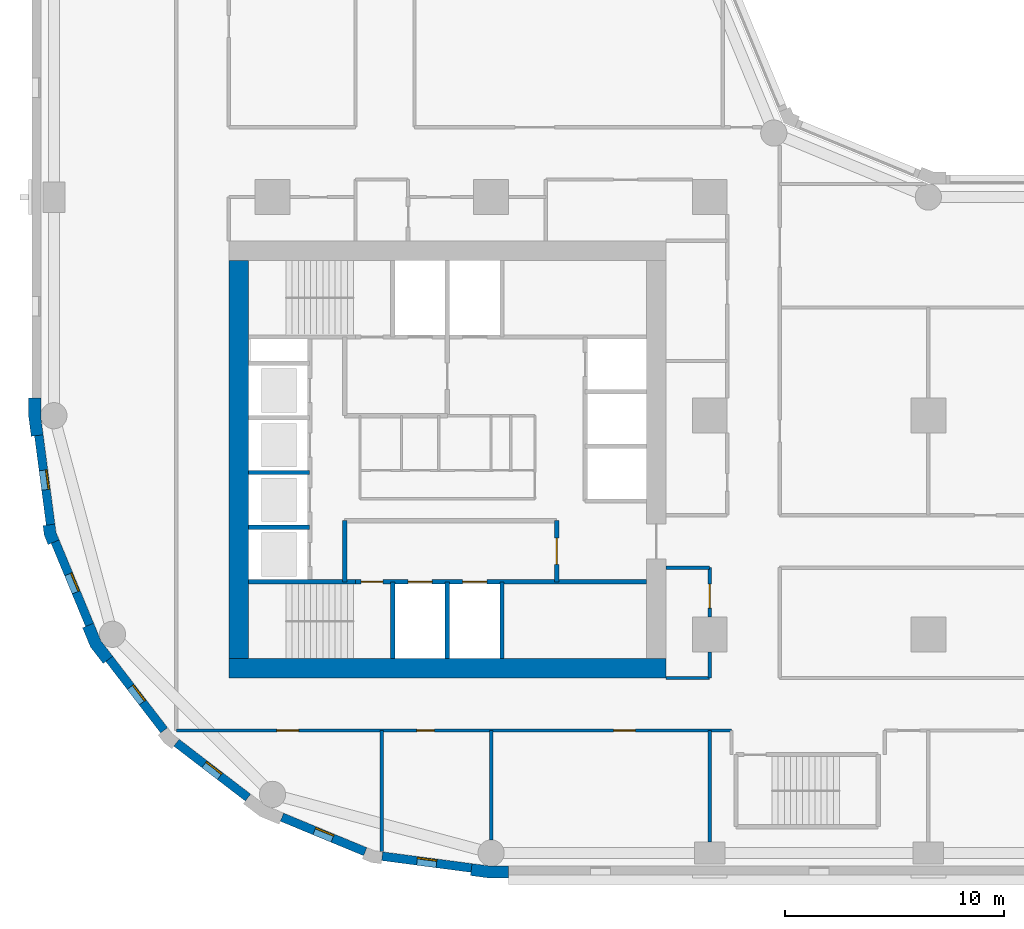
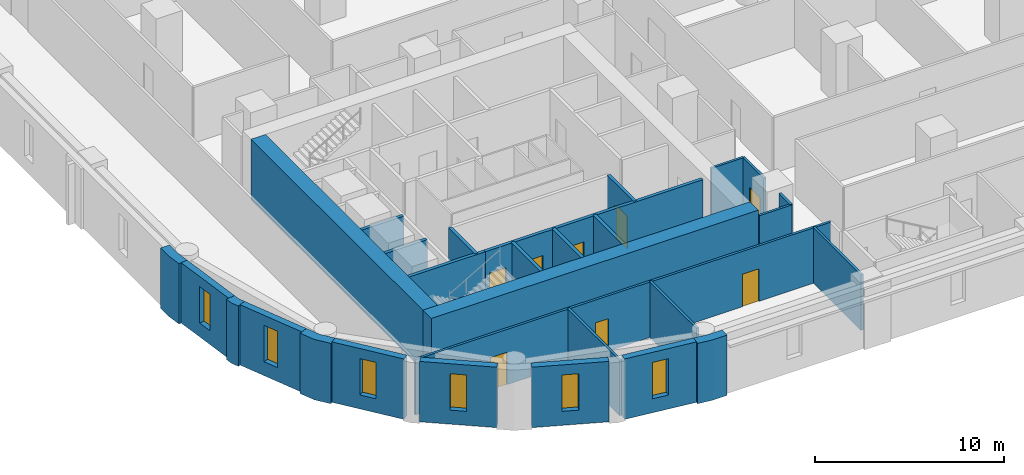
# One storey, part 2 of 11: 29 walls, 8 doors, 6 windows, 14 openings.
"""IFC4 building model written with IfcOpenShell, lengths in metres."""

from ifc_helpers import new_model, si_unit, direction, frame, frame_2d, origin, place, context, subcontext, project, spatial, polyline, rectangle, outline, extrude, material, layer, layer_set, type_object, element, fill, save


model = new_model("IFC4")

# Units and contexts
model_context = context("Model", 3, precision=1e-05, world=origin(), true_north=direction((0.0, 1.0)))
body_context = subcontext(model_context, "Body", "Model", "MODEL_VIEW")
ifc_project = project(units=[si_unit("LENGTHUNIT", "METRE"), si_unit("AREAUNIT", "SQUARE_METRE"), si_unit("VOLUMEUNIT", "CUBIC_METRE"), si_unit("PLANEANGLEUNIT", "RADIAN"), si_unit("MASSUNIT", "GRAM", prefix="KILO")], contexts=[model_context])

# Site, building, storey
site_placement = place(None, origin())
site = spatial("IfcSite", under=ifc_project, at=site_placement, CompositionType="ELEMENT")
building_placement = place(site_placement, origin())
building = spatial("IfcBuilding", under=site, at=building_placement, Name="Qaws Garden Tower", CompositionType="ELEMENT")
storey_placement = place(building_placement, frame((0.0, 0.0, 90.0)))
storey = spatial("IfcBuildingStorey", under=building, at=storey_placement, Name="L22", CompositionType="ELEMENT", Elevation=90.0)

# Wall, opening, window
ifc_material_1 = material(Name="Clay facing brick masonry", Category="masonry")
ifc_layer_1 = layer(ifc_material_1, 0.39990234375)
ifc_layer_set_1 = layer_set([ifc_layer_1], Name="Clay facing brick masonry")
wall_type_1 = type_object("IfcWallType", Name="Brick infill wall 400", PredefinedType="SOLIDWALL", material=ifc_layer_set_1)
wall_1_placement = place(storey_placement, frame((-0.688720703125, 19.102294921875, 0.0), z_axis=(0.0, 0.0, 1.0), x_axis=(0.130514280502, -0.991446429508, 0.0)))
wall_1 = element("IfcWall", 1, at=wall_1_placement, inside=storey, type_object=wall_type_1, Name="E-L22-infill-27", PredefinedType="SOLIDWALL", context=body_context, shape_type="SweptSolid", body=[
    extrude(rectangle(XDim=4.120849609375, YDim=0.39990234375, at=frame_2d((2.060546875, 0.0))), origin(), (0.0, 0.0, 1.0), 3.89990234375),
])
opening_1_placement = place(wall_1_placement, frame((1.610595703125, 0.0, 0.89990234375)))
opening_1 = element("IfcOpeningElement", 2, at=opening_1_placement, cuts=wall_1, Name="Opening W09", PredefinedType="OPENING", context=body_context, shape_type="SweptSolid", body=[
    extrude(rectangle(XDim=0.89990234375, YDim=2.35009765625, at=frame_2d((0.449951171875, 1.175048828125))), frame((0.0, 0.2099609375, 0.0), z_axis=(0.0, -1.0, 0.0), x_axis=(1.0, 0.0, 0.0)), (0.0, 0.0, 1.0), 0.419921875),
])
ifc_material_2 = material(Name="Aluminium framed window, clear glazing", Category="aluminium")
window_type = type_object("IfcWindowType", Name="Slit window 900 x 2350", PartitioningType="SINGLE_PANEL", PredefinedType="WINDOW", material=ifc_material_2)
window_1_placement = place(opening_1_placement, origin())
window_1 = element("IfcWindow", 3, at=window_1_placement, inside=storey, type_object=window_type, Name="E-L22-window-27-0", OverallHeight=2.35009765625, OverallWidth=0.89990234375, PartitioningType="SINGLE_PANEL", PredefinedType="WINDOW", context=body_context, shape_type="SweptSolid", body=[
    extrude(rectangle(XDim=0.89990234375, YDim=2.35009765625, at=frame_2d((0.449951171875, 1.175048828125))), frame((0.0, 0.159912109375, 0.0), z_axis=(0.0, -1.0, 0.0), x_axis=(1.0, 0.0, 0.0)), (0.0, 0.0, 1.0), 0.06005859375),
])
fill(opening_1, window_1)

wall_2_placement = place(storey_placement, frame((0.05712890625, 14.240234375, 0.0), z_axis=(0.0, 0.0, 1.0), x_axis=(0.382721546029, -0.923863744394, 0.0)))
wall_2 = element("IfcWall", 4, at=wall_2_placement, inside=storey, type_object=wall_type_1, Name="E-L22-infill-28", PredefinedType="SOLIDWALL", context=body_context, shape_type="SweptSolid", body=[
    extrude(rectangle(XDim=4.120849609375, YDim=0.39990234375, at=frame_2d((2.060546875, 0.0))), origin(), (0.0, 0.0, 1.0), 3.89990234375),
])
opening_2_placement = place(wall_2_placement, frame((1.610595703125, 0.0, 0.89990234375)))
opening_2 = element("IfcOpeningElement", 5, at=opening_2_placement, cuts=wall_2, Name="Opening W09", PredefinedType="OPENING", context=body_context, shape_type="SweptSolid", body=[
    extrude(rectangle(XDim=0.89990234375, YDim=2.35009765625, at=frame_2d((0.449951171875, 1.175048828125))), frame((0.0, 0.2099609375, 0.0), z_axis=(0.0, -1.0, 0.0), x_axis=(1.0, 0.0, 0.0)), (0.0, 0.0, 1.0), 0.419921875),
])
window_2_placement = place(opening_2_placement, origin())
window_2 = element("IfcWindow", 6, at=window_2_placement, inside=storey, type_object=window_type, Name="E-L22-window-28-0", OverallHeight=2.35009765625, OverallWidth=0.89990234375, PartitioningType="SINGLE_PANEL", PredefinedType="WINDOW", context=body_context, shape_type="SweptSolid", body=[
    extrude(rectangle(XDim=0.89990234375, YDim=2.35009765625, at=frame_2d((0.449951171875, 1.175048828125))), frame((0.0, 0.159912109375, 0.0), z_axis=(0.0, -1.0, 0.0), x_axis=(1.0, 0.0, 0.0)), (0.0, 0.0, 1.0), 0.06005859375),
])
fill(opening_2, window_2)

wall_3_placement = place(storey_placement, frame((2.53173828125, 8.87841796875, 0.0), z_axis=(0.0, 0.0, 1.0), x_axis=(0.608759824817, -0.793354571229, 0.0)))
wall_3 = element("IfcWall", 7, at=wall_3_placement, inside=storey, type_object=wall_type_1, Name="E-L22-infill-29", PredefinedType="SOLIDWALL", context=body_context, shape_type="SweptSolid", body=[
    extrude(rectangle(XDim=4.12109375, YDim=0.39990234375, at=frame_2d((2.060546875, 0.0))), origin(), (0.0, 0.0, 1.0), 3.89990234375),
])
opening_3_placement = place(wall_3_placement, frame((1.610595703125, 0.0, 0.89990234375)))
opening_3 = element("IfcOpeningElement", 8, at=opening_3_placement, cuts=wall_3, Name="Opening W09", PredefinedType="OPENING", context=body_context, shape_type="SweptSolid", body=[
    extrude(rectangle(XDim=0.89990234375, YDim=2.35009765625, at=frame_2d((0.449951171875, 1.175048828125))), frame((0.0, 0.2099609375, 0.0), z_axis=(0.0, -1.0, 0.0), x_axis=(1.0, 0.0, 0.0)), (0.0, 0.0, 1.0), 0.419921875),
])
window_3_placement = place(opening_3_placement, origin())
window_3 = element("IfcWindow", 9, at=window_3_placement, inside=storey, type_object=window_type, Name="E-L22-window-29-0", OverallHeight=2.35009765625, OverallWidth=0.89990234375, PartitioningType="SINGLE_PANEL", PredefinedType="WINDOW", context=body_context, shape_type="SweptSolid", body=[
    extrude(rectangle(XDim=0.89990234375, YDim=2.35009765625, at=frame_2d((0.449951171875, 1.175048828125))), frame((0.0, 0.159912109375, 0.0), z_axis=(0.0, -1.0, 0.0), x_axis=(1.0, 0.0, 0.0)), (0.0, 0.0, 1.0), 0.06005859375),
])
fill(opening_3, window_3)

wall_4_placement = place(storey_placement, frame((5.60888671875, 5.04052734375, 0.0), z_axis=(0.0, 0.0, 1.0), x_axis=(0.793354571229, -0.608759824817, 0.0)))
wall_4 = element("IfcWall", 10, at=wall_4_placement, inside=storey, type_object=wall_type_1, Name="E-L22-infill-30", PredefinedType="SOLIDWALL", context=body_context, shape_type="SweptSolid", body=[
    extrude(rectangle(XDim=4.12109375, YDim=0.39990234375, at=frame_2d((2.060546875, 0.0))), origin(), (0.0, 0.0, 1.0), 3.89990234375),
])
opening_4_placement = place(wall_4_placement, frame((1.610595703125, 0.0, 0.89990234375)))
opening_4 = element("IfcOpeningElement", 11, at=opening_4_placement, cuts=wall_4, Name="Opening W09", PredefinedType="OPENING", context=body_context, shape_type="SweptSolid", body=[
    extrude(rectangle(XDim=0.89990234375, YDim=2.35009765625, at=frame_2d((0.449951171875, 1.175048828125))), frame((0.0, 0.2099609375, 0.0), z_axis=(0.0, -1.0, 0.0), x_axis=(1.0, 0.0, 0.0)), (0.0, 0.0, 1.0), 0.419921875),
])
window_4_placement = place(opening_4_placement, origin())
window_4 = element("IfcWindow", 12, at=window_4_placement, inside=storey, type_object=window_type, Name="E-L22-window-30-0", OverallHeight=2.35009765625, OverallWidth=0.89990234375, PartitioningType="SINGLE_PANEL", PredefinedType="WINDOW", context=body_context, shape_type="SweptSolid", body=[
    extrude(rectangle(XDim=0.89990234375, YDim=2.35009765625, at=frame_2d((0.449951171875, 1.175048828125))), frame((0.0, 0.159912109375, 0.0), z_axis=(0.0, -1.0, 0.0), x_axis=(1.0, 0.0, 0.0)), (0.0, 0.0, 1.0), 0.06005859375),
])
fill(opening_4, window_4)

wall_5_placement = place(storey_placement, frame((10.43310546875, 1.63427734375, 0.0), z_axis=(0.0, 0.0, 1.0), x_axis=(0.923863744394, -0.382721546029, 0.0)))
wall_5 = element("IfcWall", 13, at=wall_5_placement, inside=storey, type_object=wall_type_1, Name="E-L22-infill-31", PredefinedType="SOLIDWALL", context=body_context, shape_type="SweptSolid", body=[
    extrude(rectangle(XDim=4.120849609375, YDim=0.39990234375, at=frame_2d((2.060546875, 0.0))), origin(), (0.0, 0.0, 1.0), 3.89990234375),
])
opening_5_placement = place(wall_5_placement, frame((1.610595703125, 0.0, 0.89990234375)))
opening_5 = element("IfcOpeningElement", 14, at=opening_5_placement, cuts=wall_5, Name="Opening W09", PredefinedType="OPENING", context=body_context, shape_type="SweptSolid", body=[
    extrude(rectangle(XDim=0.89990234375, YDim=2.35009765625, at=frame_2d((0.449951171875, 1.175048828125))), frame((0.0, 0.2099609375, 0.0), z_axis=(0.0, -1.0, 0.0), x_axis=(1.0, 0.0, 0.0)), (0.0, 0.0, 1.0), 0.419921875),
])
window_5_placement = place(opening_5_placement, origin())
window_5 = element("IfcWindow", 15, at=window_5_placement, inside=storey, type_object=window_type, Name="E-L22-window-31-0", OverallHeight=2.35009765625, OverallWidth=0.89990234375, PartitioningType="SINGLE_PANEL", PredefinedType="WINDOW", context=body_context, shape_type="SweptSolid", body=[
    extrude(rectangle(XDim=0.89990234375, YDim=2.35009765625, at=frame_2d((0.449951171875, 1.175048828125))), frame((0.0, 0.159912109375, 0.0), z_axis=(0.0, -1.0, 0.0), x_axis=(1.0, 0.0, 0.0)), (0.0, 0.0, 1.0), 0.06005859375),
])
fill(opening_5, window_5)

wall_6_placement = place(storey_placement, frame((15.0166015625, -0.15087890625, 0.0), z_axis=(0.0, 0.0, 1.0), x_axis=(0.991446429508, -0.130514280502, 0.0)))
wall_6 = element("IfcWall", 16, at=wall_6_placement, inside=storey, type_object=wall_type_1, Name="E-L22-infill-32", PredefinedType="SOLIDWALL", context=body_context, shape_type="SweptSolid", body=[
    extrude(rectangle(XDim=4.120849609375, YDim=0.39990234375, at=frame_2d((2.060546875, 0.0))), origin(), (0.0, 0.0, 1.0), 3.89990234375),
])
opening_6_placement = place(wall_6_placement, frame((1.610595703125, 0.0, 0.89990234375)))
opening_6 = element("IfcOpeningElement", 17, at=opening_6_placement, cuts=wall_6, Name="Opening W09", PredefinedType="OPENING", context=body_context, shape_type="SweptSolid", body=[
    extrude(rectangle(XDim=0.89990234375, YDim=2.35009765625, at=frame_2d((0.449951171875, 1.175048828125))), frame((0.0, 0.2099609375, 0.0), z_axis=(0.0, -1.0, 0.0), x_axis=(1.0, 0.0, 0.0)), (0.0, 0.0, 1.0), 0.419921875),
])
window_6_placement = place(opening_6_placement, origin())
window_6 = element("IfcWindow", 18, at=window_6_placement, inside=storey, type_object=window_type, Name="E-L22-window-32-0", OverallHeight=2.35009765625, OverallWidth=0.89990234375, PartitioningType="SINGLE_PANEL", PredefinedType="WINDOW", context=body_context, shape_type="SweptSolid", body=[
    extrude(rectangle(XDim=0.89990234375, YDim=2.35009765625, at=frame_2d((0.449951171875, 1.175048828125))), frame((0.0, 0.159912109375, 0.0), z_axis=(0.0, -1.0, 0.0), x_axis=(1.0, 0.0, 0.0)), (0.0, 0.0, 1.0), 0.06005859375),
])
fill(opening_6, window_6)

# Walls
ifc_material_3 = material(Name="Clay facing brick masonry", Category="masonry")
ifc_layer_2 = layer(ifc_material_3, 0.550048828125)
ifc_layer_set_2 = layer_set([ifc_layer_2], Name="Clay facing brick masonry")
wall_type_2 = type_object("IfcWallType", Name="Brick kink pier 550 x 600", PredefinedType="SOLIDWALL", material=ifc_layer_set_2)
placement = place(storey_placement, origin())
element("IfcWall", 19, at=placement, inside=storey, type_object=wall_type_2, Name="E-L22-pier-28", PredefinedType="SOLIDWALL", context=body_context, shape_type="SweptSolid", body=[
    extrude(outline(polyline([(-0.34912109375, 14.990478515625), (-0.497802734375, 14.970947265625), (-0.43896484375, 14.5234375), (-0.26611328125, 14.1064453125), (-0.127685546875, 14.163818359375), (0.241943359375, 14.31689453125), (0.096923828125, 14.6669921875), (0.04736328125, 15.042724609375), (-0.34912109375, 14.990478515625)])), origin(), (0.0, 0.0, 1.0), 3.89990234375),
])
ifc_material_4 = material(Name="Clay facing brick masonry", Category="masonry")
ifc_layer_3 = layer(ifc_material_4, 0.550048828125)
ifc_layer_set_3 = layer_set([ifc_layer_3], Name="Clay facing brick masonry")
wall_type_3 = type_object("IfcWallType", Name="Brick pier 550 x 1600", PredefinedType="SOLIDWALL", material=ifc_layer_set_3)
element("IfcWall", 20, at=placement, inside=storey, type_object=wall_type_3, Name="E-L22-pier-00", PredefinedType="SOLIDWALL", context=body_context, shape_type="SweptSolid", body=[
    extrude(outline(polyline([(19.076416015625, -0.886962890625), (19.056640625, -1.03564453125), (19.924560546875, -1.14990234375), (20.800048828125, -1.14990234375), (20.800048828125, -1.0), (20.800048828125, -0.60009765625), (19.960693359375, -0.60009765625), (19.12841796875, -0.490478515625), (19.076416015625, -0.886962890625)])), origin(), (0.0, 0.0, 1.0), 3.89990234375),
])
element("IfcWall", 21, at=placement, inside=storey, type_object=wall_type_3, Name="E-L22-pier-27", PredefinedType="SOLIDWALL", context=body_context, shape_type="SweptSolid", body=[
    extrude(outline(polyline([(-1.0, 20.800048828125), (-1.14990234375, 20.800048828125), (-1.14990234375, 19.924560546875), (-1.03564453125, 19.056640625), (-0.886962890625, 19.076416015625), (-0.490478515625, 19.12841796875), (-0.60009765625, 19.960693359375), (-0.60009765625, 20.800048828125), (-1.0, 20.800048828125)])), origin(), (0.0, 0.0, 1.0), 3.89990234375),
])
element("IfcWall", 22, at=placement, inside=storey, type_object=wall_type_3, Name="E-L22-pier-29", PredefinedType="SOLIDWALL", context=body_context, shape_type="SweptSolid", body=[
    extrude(outline(polyline([(1.449462890625, 10.3564453125), (1.310791015625, 10.299072265625), (1.675048828125, 9.419921875), (2.254150390625, 8.665283203125), (2.373046875, 8.756591796875), (2.6904296875, 9.0), (2.1552734375, 9.697509765625), (1.819091796875, 10.509521484375), (1.449462890625, 10.3564453125)])), origin(), (0.0, 0.0, 1.0), 3.89990234375),
])
ifc_material_5 = material(Name="Concrete C80", Category="concrete")
ifc_layer_4 = layer(ifc_material_5, 0.199951171875)
ifc_layer_set_4 = layer_set([ifc_layer_4], Name="Concrete C80")
wall_type_4 = type_object("IfcWallType", Name="Core shaft wall 200 C80", PredefinedType="SHEAR", material=ifc_layer_set_4)
wall_11_placement = place(storey_placement, frame((8.89990234375, 12.39990234375, 0.0), z_axis=(0.0, 0.0, 1.0), x_axis=(1.0, 0.0, 0.0)))
element("IfcWall", 23, at=wall_11_placement, inside=storey, type_object=wall_type_4, Name="Shaft wall", PredefinedType="SHEAR", context=body_context, shape_type="SweptSolid", body=[
    extrude(rectangle(XDim=4.900146484375, YDim=0.199951171875, at=frame_2d((2.4501953125, 0.0))), origin(), (0.0, 0.0, 1.0), 3.580078125),
])

# Wall, openings, doors
wall_12_placement = place(storey_placement, frame((13.800048828125, 12.39990234375, 0.0), z_axis=(0.0, 0.0, 1.0), x_axis=(1.0, 0.0, 0.0)))
wall_12 = element("IfcWall", 24, at=wall_12_placement, inside=storey, type_object=wall_type_4, Name="Shaft wall", PredefinedType="SHEAR", context=body_context, shape_type="SweptSolid", body=[
    extrude(rectangle(XDim=13.300048828125, YDim=0.199951171875, at=frame_2d((6.64990234375, 0.0))), origin(), (0.0, 0.0, 1.0), 3.580078125),
])
opening_7_placement = place(wall_12_placement, frame((2.39990234375, 0.0, 0.0)))
opening_7 = element("IfcOpeningElement", 25, at=opening_7_placement, cuts=wall_12, Name="Opening LD06", PredefinedType="OPENING", context=body_context, shape_type="SweptSolid", body=[
    extrude(rectangle(XDim=1.10009765625, YDim=2.10009765625, at=frame_2d((0.550048828125, 1.050048828125))), frame((0.0, 0.10986328125, 0.0), z_axis=(0.0, -1.0, 0.0), x_axis=(1.0, 0.0, 0.0)), (0.0, 0.0, 1.0), 0.219970703125),
])
opening_8_placement = place(wall_12_placement, frame((4.89990234375, 0.0, 0.0)))
opening_8 = element("IfcOpeningElement", 26, at=opening_8_placement, cuts=wall_12, Name="Opening LD07", PredefinedType="OPENING", context=body_context, shape_type="SweptSolid", body=[
    extrude(rectangle(XDim=1.10009765625, YDim=2.10009765625, at=frame_2d((0.550048828125, 1.050048828125))), frame((0.0, 0.10986328125, 0.0), z_axis=(0.0, -1.0, 0.0), x_axis=(1.0, 0.0, 0.0)), (0.0, 0.0, 1.0), 0.219970703125),
])
opening_9_placement = place(wall_12_placement, frame((0.25, 0.0, 0.0)))
opening_9 = element("IfcOpeningElement", 27, at=opening_9_placement, cuts=wall_12, Name="Opening SD10", PredefinedType="OPENING", context=body_context, shape_type="SweptSolid", body=[
    extrude(rectangle(XDim=1.0, YDim=2.10009765625, at=frame_2d((0.5, 1.050048828125))), frame((0.0, 0.10986328125, 0.0), z_axis=(0.0, -1.0, 0.0), x_axis=(1.0, 0.0, 0.0)), (0.0, 0.0, 1.0), 0.219970703125),
])
ifc_material_6 = material(Name="Steel S235", Category="steel")
door_type_1 = type_object("IfcDoorType", Name="Landing door 1100x2100", OperationType="DOUBLE_DOOR_SLIDING", PredefinedType="DOOR", material=ifc_material_6)
door_1_placement = place(opening_7_placement, origin())
door_1 = element("IfcDoor", 28, at=door_1_placement, inside=storey, type_object=door_type_1, Name="Lift FF1 landing door", OperationType="DOUBLE_DOOR_SLIDING", OverallHeight=2.10009765625, OverallWidth=1.10009765625, PredefinedType="DOOR", context=body_context, shape_type="SweptSolid", body=[
    extrude(rectangle(XDim=1.10009765625, YDim=2.10009765625, at=frame_2d((0.550048828125, 1.050048828125))), frame((0.0, 0.02490234375, 0.0), z_axis=(0.0, -1.0, 0.0), x_axis=(1.0, 0.0, 0.0)), (0.0, 0.0, 1.0), 0.050048828125),
])
fill(opening_7, door_1)
door_2_placement = place(opening_8_placement, origin())
door_2 = element("IfcDoor", 29, at=door_2_placement, inside=storey, type_object=door_type_1, Name="Lift FF2 landing door", OperationType="DOUBLE_DOOR_SLIDING", OverallHeight=2.10009765625, OverallWidth=1.10009765625, PredefinedType="DOOR", context=body_context, shape_type="SweptSolid", body=[
    extrude(rectangle(XDim=1.10009765625, YDim=2.10009765625, at=frame_2d((0.550048828125, 1.050048828125))), frame((0.0, 0.02490234375, 0.0), z_axis=(0.0, -1.0, 0.0), x_axis=(1.0, 0.0, 0.0)), (0.0, 0.0, 1.0), 0.050048828125),
])
fill(opening_8, door_2)
ifc_material_7 = material(Name="Steel S235", Category="steel")
door_type_2 = type_object("IfcDoorType", Name="Stair door 1000x2100", OperationType="SINGLE_SWING_RIGHT", PredefinedType="DOOR", material=ifc_material_7)
door_3_placement = place(opening_9_placement, frame((1.0, 0.0, 0.0), z_axis=(0.0, 0.0, 1.0), x_axis=(-1.0, 0.0, 0.0)))
door_3 = element("IfcDoor", 30, at=door_3_placement, inside=storey, type_object=door_type_2, Name="Stair 1 door", OperationType="SINGLE_SWING_LEFT", OverallHeight=2.10009765625, OverallWidth=1.0, PredefinedType="DOOR", context=body_context, shape_type="SweptSolid", body=[
    extrude(rectangle(XDim=1.0, YDim=2.10009765625, at=frame_2d((0.5, 1.050048828125))), frame((0.0, 0.02490234375, 0.0), z_axis=(0.0, -1.0, 0.0), x_axis=(1.0, 0.0, 0.0)), (0.0, 0.0, 1.0), 0.050048828125),
])
fill(opening_9, door_3)

# Walls
for number, where, z_axis, x_axis, name in (
    (31, (8.89990234375, 14.89990234375, 0.0), (0.0, 0.0, 1.0), (1.0, 0.0, 0.0), "Shaft wall"),
    (32, (8.89990234375, 17.39990234375, 0.0), (0.0, 0.0, 1.0), (1.0, 0.0, 0.0), "Shaft wall"),
    (33, (13.300048828125, 12.39990234375, 0.0), (0.0, 0.0, 1.0), (0.0, 1.0, 0.0), "Shaft wall"),
):
    element("IfcWall", number, at=place(storey_placement, frame(where, z_axis=z_axis, x_axis=x_axis)), inside=storey, type_object=wall_type_4, Name=name, PredefinedType="SHEAR", context=body_context, shape_type="SweptSolid", body=[
        extrude(rectangle(XDim=2.800048828125, YDim=0.199951171875, at=frame_2d((1.39990234375, 0.0))), origin(), (0.0, 0.0, 1.0), 3.580078125),
    ])
for number, where, z_axis, x_axis, name in (
    (34, (15.5, 8.89990234375, 0.0), (0.0, 0.0, 1.0), (0.0, 1.0, 0.0), "Shaft wall"),
    (35, (18.0, 8.89990234375, 0.0), (0.0, 0.0, 1.0), (0.0, 1.0, 0.0), "Shaft wall"),
    (36, (20.5, 8.89990234375, 0.0), (0.0, 0.0, 1.0), (0.0, 1.0, 0.0), "Shaft wall"),
):
    element("IfcWall", number, at=place(storey_placement, frame(where, z_axis=z_axis, x_axis=x_axis)), inside=storey, type_object=wall_type_4, Name=name, PredefinedType="SHEAR", context=body_context, shape_type="SweptSolid", body=[
        extrude(rectangle(XDim=3.5, YDim=0.199951171875, at=frame_2d((1.75, 0.0))), origin(), (0.0, 0.0, 1.0), 3.580078125),
    ])

# Wall, opening, door
wall_13_placement = place(storey_placement, frame((23.0, 12.39990234375, 0.0), z_axis=(0.0, 0.0, 1.0), x_axis=(0.0, 1.0, 0.0)))
wall_13 = element("IfcWall", 37, at=wall_13_placement, inside=storey, type_object=wall_type_4, Name="Shaft wall", PredefinedType="SHEAR", context=body_context, shape_type="SweptSolid", body=[
    extrude(rectangle(XDim=2.800048828125, YDim=0.199951171875, at=frame_2d((1.39990234375, 0.0))), origin(), (0.0, 0.0, 1.0), 3.580078125),
])
opening_10_placement = place(wall_13_placement, frame((0.800048828125, 0.0, 0.0)))
opening_10 = element("IfcOpeningElement", 38, at=opening_10_placement, cuts=wall_13, Name="Opening FD15", PredefinedType="OPENING", context=body_context, shape_type="SweptSolid", body=[
    extrude(rectangle(XDim=1.199951171875, YDim=2.10009765625, at=frame_2d((0.60009765625, 1.050048828125))), frame((0.0, 0.10986328125, 0.0), z_axis=(0.0, -1.0, 0.0), x_axis=(1.0, 0.0, 0.0)), (0.0, 0.0, 1.0), 0.219970703125),
])
ifc_material_8 = material(Name="Steel S235", Category="steel")
door_type_3 = type_object("IfcDoorType", Name="Lobby door 1200x2100", OperationType="DOUBLE_DOOR_SINGLE_SWING", PredefinedType="DOOR", material=ifc_material_8)
door_4_placement = place(opening_10_placement, origin())
door_4 = element("IfcDoor", 39, at=door_4_placement, inside=storey, type_object=door_type_3, Name="Fire-fighting lobby door", OperationType="DOUBLE_DOOR_SINGLE_SWING", OverallHeight=2.10009765625, OverallWidth=1.199951171875, PredefinedType="DOOR", context=body_context, shape_type="SweptSolid", body=[
    extrude(rectangle(XDim=1.199951171875, YDim=2.10009765625, at=frame_2d((0.60009765625, 1.050048828125))), frame((0.0, 0.02490234375, 0.0), z_axis=(0.0, -1.0, 0.0), x_axis=(1.0, 0.0, 0.0)), (0.0, 0.0, 1.0), 0.050048828125),
])
fill(opening_10, door_4)

# Walls
ifc_material_9 = material(Name="Concrete C80", Category="concrete")
ifc_layer_5 = layer(ifc_material_9, 0.89990234375)
ifc_layer_set_5 = layer_set([ifc_layer_5], Name="Concrete C80")
wall_type_5 = type_object("IfcWallType", Name="Core wall 900 C80", PredefinedType="SHEAR", material=ifc_layer_set_5)
wall_14_placement = place(storey_placement, frame((8.0, 8.449951171875, 0.0), z_axis=(0.0, 0.0, 1.0), x_axis=(1.0, 0.0, 0.0)))
element("IfcWall", 40, at=wall_14_placement, inside=storey, type_object=wall_type_5, Name="Core wall L22 south", PredefinedType="SHEAR", context=body_context, shape_type="SweptSolid", body=[
    extrude(rectangle(XDim=20.0, YDim=0.89990234375, at=frame_2d((10.0, 0.0))), origin(), (0.0, 0.0, 1.0), 3.89990234375),
])
wall_15_placement = place(storey_placement, frame((8.449951171875, 27.10009765625, 0.0), z_axis=(0.0, 0.0, 1.0), x_axis=(0.0, -1.0, 0.0)))
element("IfcWall", 41, at=wall_15_placement, inside=storey, type_object=wall_type_5, Name="Core wall L22 west", PredefinedType="SHEAR", context=body_context, shape_type="SweptSolid", body=[
    extrude(rectangle(XDim=18.2001953125, YDim=0.89990234375, at=frame_2d((9.10009765625, 0.0))), origin(), (0.0, 0.0, 1.0), 3.89990234375),
])
ifc_material_10 = material(Name="Gypsum board partition")
ifc_layer_6 = layer(ifc_material_10, 0.14990234375)
ifc_layer_set_6 = layer_set([ifc_layer_6], Name="Gypsum board partition")
wall_type_6 = type_object("IfcWallType", Name="PARTITION 150 EI 60", PredefinedType="PARTITIONING", material=ifc_layer_set_6)
wall_16_placement = place(storey_placement, frame((15.0, 0.06298828125, 0.0), z_axis=(0.0, 0.0, 1.0), x_axis=(0.0, 1.0, 0.0)))
element("IfcWall", 42, at=wall_16_placement, inside=storey, type_object=wall_type_6, Name="O-L22-wall-007", PredefinedType="PARTITIONING", context=body_context, shape_type="SweptSolid", body=[
    extrude(rectangle(XDim=5.537109375, YDim=0.14990234375, at=frame_2d((2.7685546875, 0.0))), origin(), (0.0, 0.0, 1.0), 3.580078125),
])
wall_17_placement = place(storey_placement, frame((20.0, 0.60009765625, 0.0), z_axis=(0.0, 0.0, 1.0), x_axis=(0.0, 1.0, 0.0)))
element("IfcWall", 43, at=wall_17_placement, inside=storey, type_object=wall_type_6, Name="O-L22-wall-011", PredefinedType="PARTITIONING", context=body_context, shape_type="SweptSolid", body=[
    extrude(rectangle(XDim=5.0, YDim=0.14990234375, at=frame_2d((2.5, 0.0))), origin(), (0.0, 0.0, 1.0), 3.580078125),
])
wall_18_placement = place(storey_placement, frame((30.0, 0.5, 0.0), z_axis=(0.0, 0.0, 1.0), x_axis=(0.0, 1.0, 0.0)))
element("IfcWall", 44, at=wall_18_placement, inside=storey, type_object=wall_type_6, Name="O-L22-wall-014", PredefinedType="PARTITIONING", context=body_context, shape_type="SweptSolid", body=[
    extrude(rectangle(XDim=5.10009765625, YDim=0.14990234375, at=frame_2d((2.550048828125, 0.0))), origin(), (0.0, 0.0, 1.0), 3.580078125),
])
wall_19_placement = place(storey_placement, frame((30.0, 8.0, 0.0), z_axis=(0.0, 0.0, 1.0), x_axis=(0.0, 1.0, 0.0)))
element("IfcWall", 45, at=wall_19_placement, inside=storey, type_object=wall_type_6, Name="O-L22-wall-015", PredefinedType="PARTITIONING", context=body_context, shape_type="SweptSolid", body=[
    extrude(rectangle(XDim=1.199951171875, YDim=0.14990234375, at=frame_2d((0.60009765625, 0.0))), origin(), (0.0, 0.0, 1.0), 3.580078125),
])

# Wall, opening, door
wall_20_placement = place(storey_placement, frame((30.0, 10.800048828125, 0.0), z_axis=(0.0, 0.0, 1.0), x_axis=(0.0, 1.0, 0.0)))
wall_20 = element("IfcWall", 46, at=wall_20_placement, inside=storey, type_object=wall_type_6, Name="O-L22-wall-016", PredefinedType="PARTITIONING", context=body_context, shape_type="SweptSolid", body=[
    extrude(rectangle(XDim=2.25, YDim=0.14990234375, at=frame_2d((1.125, 0.0))), origin(), (0.0, 0.0, 1.0), 3.580078125),
])
opening_11_placement = place(wall_20_placement, frame((0.39990234375, 0.0, 0.0)))
opening_11 = element("IfcOpeningElement", 47, at=opening_11_placement, cuts=wall_20, Name="Opening A706", PredefinedType="OPENING", context=body_context, shape_type="SweptSolid", body=[
    extrude(rectangle(XDim=1.10009765625, YDim=2.10009765625, at=frame_2d((0.550048828125, 1.050048828125))), frame((0.0, 0.0849609375, 0.0), z_axis=(0.0, -1.0, 0.0), x_axis=(1.0, 0.0, 0.0)), (0.0, 0.0, 1.0), 0.169921875),
])
ifc_material_11 = material(Name="Timber door leaf", Category="wood")
door_type_4 = type_object("IfcDoorType", Name="SERVICE ROOM DOOR 1100 X 2100", OperationType="SINGLE_SWING_LEFT", PredefinedType="DOOR", material=ifc_material_11)
door_5_placement = place(opening_11_placement, origin())
door_5 = element("IfcDoor", 48, at=door_5_placement, inside=storey, type_object=door_type_4, Name="O-L22-door-006", OperationType="SINGLE_SWING_LEFT", OverallHeight=2.10009765625, OverallWidth=1.10009765625, PredefinedType="DOOR", context=body_context, shape_type="SweptSolid", body=[
    extrude(rectangle(XDim=1.10009765625, YDim=2.10009765625, at=frame_2d((0.550048828125, 1.050048828125))), frame((0.0, 0.02490234375, 0.0), z_axis=(0.0, -1.0, 0.0), x_axis=(1.0, 0.0, 0.0)), (0.0, 0.0, 1.0), 0.050048828125),
])
fill(opening_11, door_5)

# Wall, openings, doors
wall_21_placement = place(storey_placement, frame((5.60009765625, 5.60009765625, 0.0), z_axis=(0.0, 0.0, 1.0), x_axis=(1.0, 0.0, 0.0)))
wall_21 = element("IfcWall", 49, at=wall_21_placement, inside=storey, type_object=wall_type_6, Name="O-L22-wall-033", PredefinedType="PARTITIONING", context=body_context, shape_type="SweptSolid", body=[
    extrude(rectangle(XDim=25.39990234375, YDim=0.14990234375, at=frame_2d((12.699951171875, 0.0))), origin(), (0.0, 0.0, 1.0), 3.580078125),
])
opening_12_placement = place(wall_21_placement, frame((4.60009765625, 0.0, 0.0)))
opening_12 = element("IfcOpeningElement", 50, at=opening_12_placement, cuts=wall_21, Name="Opening A702", PredefinedType="OPENING", context=body_context, shape_type="SweptSolid", body=[
    extrude(rectangle(XDim=1.0, YDim=2.10009765625, at=frame_2d((0.5, 1.050048828125))), frame((0.0, 0.0849609375, 0.0), z_axis=(0.0, -1.0, 0.0), x_axis=(1.0, 0.0, 0.0)), (0.0, 0.0, 1.0), 0.169921875),
])
opening_13_placement = place(wall_21_placement, frame((11.0, 0.0, 0.0)))
opening_13 = element("IfcOpeningElement", 51, at=opening_13_placement, cuts=wall_21, Name="Opening A713", PredefinedType="OPENING", context=body_context, shape_type="SweptSolid", body=[
    extrude(rectangle(XDim=0.800048828125, YDim=2.10009765625, at=frame_2d((0.39990234375, 1.050048828125))), frame((0.0, 0.0849609375, 0.0), z_axis=(0.0, -1.0, 0.0), x_axis=(1.0, 0.0, 0.0)), (0.0, 0.0, 1.0), 0.169921875),
])
opening_14_placement = place(wall_21_placement, frame((20.0, 0.0, 0.0)))
opening_14 = element("IfcOpeningElement", 52, at=opening_14_placement, cuts=wall_21, Name="Opening A719", PredefinedType="OPENING", context=body_context, shape_type="SweptSolid", body=[
    extrude(rectangle(XDim=1.0, YDim=2.10009765625, at=frame_2d((0.5, 1.050048828125))), frame((0.0, 0.0849609375, 0.0), z_axis=(0.0, -1.0, 0.0), x_axis=(1.0, 0.0, 0.0)), (0.0, 0.0, 1.0), 0.169921875),
])
ifc_material_12 = material(Name="Timber door leaf", Category="wood")
door_type_5 = type_object("IfcDoorType", Name="STORE DOOR 800 X 2100", OperationType="SINGLE_SWING_LEFT", PredefinedType="DOOR", material=ifc_material_12)
door_6_placement = place(opening_13_placement, frame((0.800048828125, 0.0, 0.0), z_axis=(0.0, 0.0, 1.0), x_axis=(-1.0, 0.0, 0.0)))
door_6 = element("IfcDoor", 53, at=door_6_placement, inside=storey, type_object=door_type_5, Name="O-L22-door-013", OperationType="SINGLE_SWING_LEFT", OverallHeight=2.10009765625, OverallWidth=0.800048828125, PredefinedType="DOOR", context=body_context, shape_type="SweptSolid", body=[
    extrude(rectangle(XDim=0.800048828125, YDim=2.10009765625, at=frame_2d((0.39990234375, 1.050048828125))), frame((0.0, 0.02490234375, 0.0), z_axis=(0.0, -1.0, 0.0), x_axis=(1.0, 0.0, 0.0)), (0.0, 0.0, 1.0), 0.050048828125),
])
fill(opening_13, door_6)
ifc_material_13 = material(Name="Timber door leaf", Category="wood")
door_type_6 = type_object("IfcDoorType", Name="TENANCY ENTRANCE DOOR 1000 X 2100", OperationType="SINGLE_SWING_LEFT", PredefinedType="DOOR", material=ifc_material_13)
door_7_placement = place(opening_12_placement, frame((1.0, 0.0, 0.0), z_axis=(0.0, 0.0, 1.0), x_axis=(-1.0, 0.0, 0.0)))
door_7 = element("IfcDoor", 54, at=door_7_placement, inside=storey, type_object=door_type_6, Name="O-L22-door-002", OperationType="SINGLE_SWING_LEFT", OverallHeight=2.10009765625, OverallWidth=1.0, PredefinedType="DOOR", context=body_context, shape_type="SweptSolid", body=[
    extrude(rectangle(XDim=1.0, YDim=2.10009765625, at=frame_2d((0.5, 1.050048828125))), frame((0.0, 0.02490234375, 0.0), z_axis=(0.0, -1.0, 0.0), x_axis=(1.0, 0.0, 0.0)), (0.0, 0.0, 1.0), 0.050048828125),
])
fill(opening_12, door_7)
door_8_placement = place(opening_14_placement, frame((1.0, 0.0, 0.0), z_axis=(0.0, 0.0, 1.0), x_axis=(-1.0, 0.0, 0.0)))
door_8 = element("IfcDoor", 55, at=door_8_placement, inside=storey, type_object=door_type_6, Name="O-L22-door-019", OperationType="SINGLE_SWING_LEFT", OverallHeight=2.10009765625, OverallWidth=1.0, PredefinedType="DOOR", context=body_context, shape_type="SweptSolid", body=[
    extrude(rectangle(XDim=1.0, YDim=2.10009765625, at=frame_2d((0.5, 1.050048828125))), frame((0.0, 0.02490234375, 0.0), z_axis=(0.0, -1.0, 0.0), x_axis=(1.0, 0.0, 0.0)), (0.0, 0.0, 1.0), 0.050048828125),
])
fill(opening_14, door_8)

# Walls
for number, where, z_axis, x_axis, name in (
    (56, (28.0, 8.0, 0.0), (0.0, 0.0, 1.0), (1.0, 0.0, 0.0), "O-L22-wall-035"),
    (57, (28.0, 13.050048828125, 0.0), (0.0, 0.0, 1.0), (1.0, 0.0, 0.0), "O-L22-wall-037"),
):
    element("IfcWall", number, at=place(storey_placement, frame(where, z_axis=z_axis, x_axis=x_axis)), inside=storey, type_object=wall_type_6, Name=name, PredefinedType="PARTITIONING", context=body_context, shape_type="SweptSolid", body=[
        extrude(rectangle(XDim=2.0, YDim=0.14990234375, at=frame_2d((1.0, 0.0))), origin(), (0.0, 0.0, 1.0), 3.580078125),
    ])

save(model, "model.ifc")
